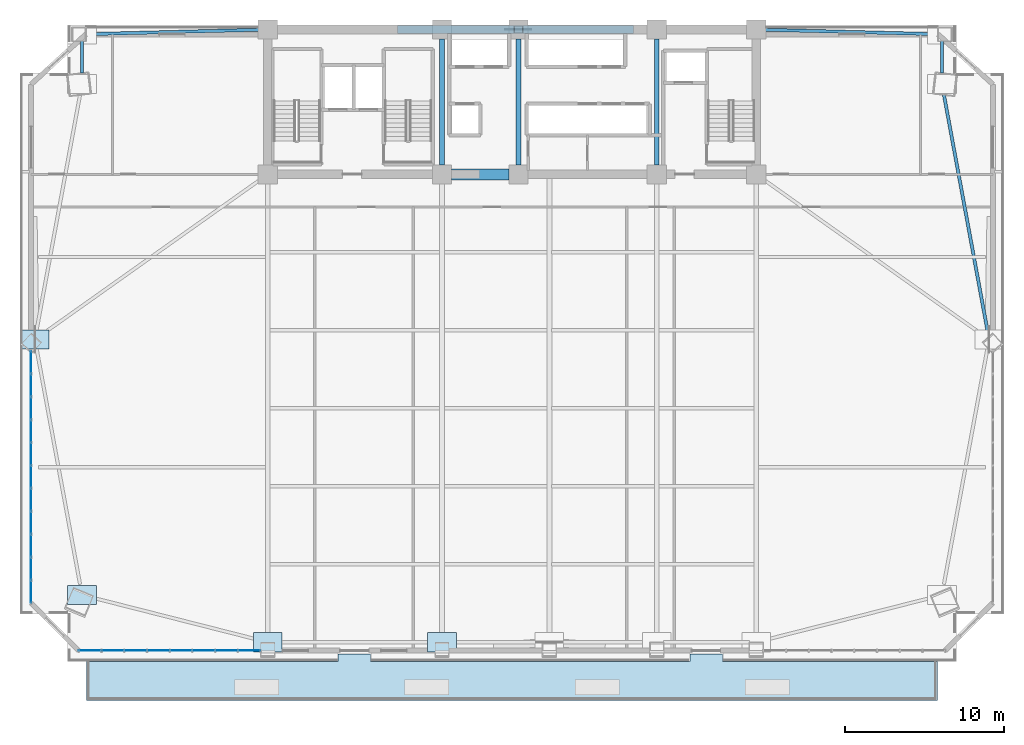
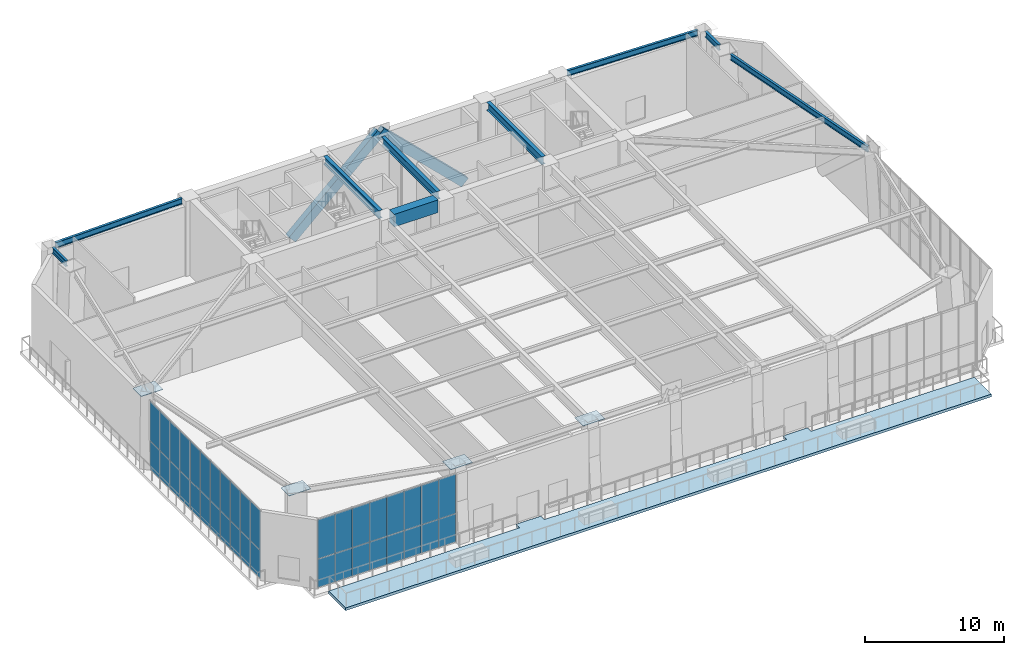
# One storey, part 12 of 22: 42 plates, 9 beams, 2 members, 1 slab, 2 elements without a shape of their own.
"""IFC4 building model written with IfcOpenShell, lengths in metres."""

from ifc_helpers import new_model, si_unit, direction, frame, origin, origin_2d, place, context, subcontext, project, spatial, polyline, rectangle, hollow_rectangle, i_section, outline, extrude, source, transform, mapped, material, layer, layer_set, material_profile, profile_set, type_object, element, aggregate, save


model = new_model("IFC4")

# Units and contexts
model_context = context("Model", 3, precision=1e-05, world=origin(), true_north=direction((0.0, 1.0)))
body_context = subcontext(model_context, "Body", "Model", "MODEL_VIEW")
ifc_project = project(units=[si_unit("LENGTHUNIT", "METRE"), si_unit("AREAUNIT", "SQUARE_METRE"), si_unit("VOLUMEUNIT", "CUBIC_METRE"), si_unit("PLANEANGLEUNIT", "RADIAN"), si_unit("MASSUNIT", "GRAM", prefix="KILO")], contexts=[model_context])

# Site, building, storey
site_placement = place(None, origin())
site = spatial("IfcSite", under=ifc_project, at=site_placement, CompositionType="ELEMENT")
building_placement = place(site_placement, origin())
building = spatial("IfcBuilding", under=site, at=building_placement, Name="Giltprow Tower", CompositionType="ELEMENT")
storey_placement = place(building_placement, frame((0.0, 0.0, 130.89990234375)))
storey = spatial("IfcBuildingStorey", under=building, at=storey_placement, Name="L32", CompositionType="ELEMENT", Elevation=130.89990234375)

# Beams
ifc_material_1 = material(Name="Concrete C60", Category="concrete")
ifc_material_profile_1 = material_profile(ifc_material_1, rectangle(XDim=0.699951171875, YDim=1.10009765625, at=origin_2d()), Name="RC 1100x700")
ifc_profile_set_1 = profile_set([ifc_material_profile_1], Name="Concrete C60")
beam_type_1 = type_object("IfcBeamType", Name="BM-CPL-RC1100", PredefinedType="LINTEL", material=ifc_profile_set_1)
shared_shape_1 = source(origin(), body_context, "Body", "SweptSolid", [
    extrude(rectangle(XDim=0.699951171875, YDim=1.10009765625, at=origin_2d()), origin(), (0.0, 0.0, 1.0), 3.6298828125),
])
beam_1_placement = place(storey_placement, frame((31.385009765625, 37.449951171875, 6.02001953125), z_axis=(1.0, 0.0, 0.0), x_axis=(0.0, 1.0, 0.0)))
element("IfcBeam", 1, at=beam_1_placement, inside=storey, type_object=beam_type_1, Name="L32 Core Coupling Beam CB-1", PredefinedType="LINTEL", context=body_context, shape_type="MappedRepresentation", body=[
    mapped(shared_shape_1, transform((0.0, 0.0, 0.0), x_axis=(1.0, 0.0, 0.0), y_axis=(0.0, 1.0, 0.0), z_axis=(0.0, 0.0, 1.0), scale=1.0)),
])
ifc_material_2 = material(Name="Structural steel Q355B", Category="steel")
ifc_material_profile_2 = material_profile(ifc_material_2, i_section(OverallWidth=0.300048828125, OverallDepth=0.699951171875, WebThickness=0.012939453125, FlangeThickness=0.02392578125, at=origin_2d()), Name="HN 700x300x13x24")
ifc_profile_set_2 = profile_set([ifc_material_profile_2], Name="Structural steel Q355B")
beam_type_2 = type_object("IfcBeamType", Name="BM-GIRD-HN700", PredefinedType="BEAM", material=ifc_profile_set_2)
shared_shape_2 = source(origin(), body_context, "Body", "SweptSolid", [
    extrude(i_section(OverallWidth=0.300048828125, OverallDepth=0.699951171875, WebThickness=0.012939453125, FlangeThickness=0.02392578125, at=origin_2d()), origin(), (0.0, 0.0, 1.0), 7.93017578125),
])
for number, where, z_axis, x_axis, name in (
    (2, (30.800048828125, 38.034912109375, 6.22021484375), (0.0, 1.0, 0.0), (-1.0, 0.0, 0.0), "L32 Core Tie Girder M1"),
    (3, (35.60009765625, 38.034912109375, 6.22021484375), (0.0, 1.0, 0.0), (-1.0, 0.0, 0.0), "L32 Core Tie Girder M2"),
    (4, (44.300048828125, 38.034912109375, 6.22021484375), (0.0, 1.0, 0.0), (-1.0, 0.0, 0.0), "L32 Core Tie Girder M3"),
):
    element("IfcBeam", number, at=place(storey_placement, frame(where, z_axis=z_axis, x_axis=x_axis)), inside=storey, type_object=beam_type_2, Name=name, PredefinedType="BEAM", context=body_context, shape_type="MappedRepresentation", body=[
        mapped(shared_shape_2, transform((0.0, 0.0, 0.0), x_axis=(1.0, 0.0, 0.0), y_axis=(0.0, 1.0, 0.0), z_axis=(0.0, 0.0, 1.0), scale=1.0)),
    ])
ifc_material_profile_3 = material_profile(ifc_material_2, i_section(OverallWidth=0.199951171875, OverallDepth=0.5, WebThickness=0.010009765625, FlangeThickness=0.01611328125, at=origin_2d()), Name="HN 500x200x10x16")
ifc_profile_set_3 = profile_set([ifc_material_profile_3], Name="Structural steel Q355B")
beam_type_3 = type_object("IfcBeamType", Name="BM-SPAN-HN500", PredefinedType="SPANDREL", material=ifc_profile_set_3)
shared_shape_3 = source(origin(), body_context, "Body", "SweptSolid", [
    extrude(i_section(OverallWidth=0.199951171875, OverallDepth=0.5, WebThickness=0.010009765625, FlangeThickness=0.01611328125, at=origin_2d()), origin(), (0.0, 0.0, 1.0), 15.212890625),
])
beam_2_placement = place(storey_placement, frame((65.10693359375, 27.5, 6.320068359375), z_axis=(-0.181555358549, 0.983380725753, 0.0), x_axis=(-0.983380725753, -0.181555358549, 0.0)))
element("IfcBeam", 5, at=beam_2_placement, inside=storey, type_object=beam_type_3, Name="L32 Perimeter Spandrel Beam E_MID-MC_NE", PredefinedType="SPANDREL", context=body_context, shape_type="MappedRepresentation", body=[
    mapped(shared_shape_3, transform((0.0, 0.0, 0.0), x_axis=(1.0, 0.0, 0.0), y_axis=(0.0, 1.0, 0.0), z_axis=(0.0, 0.0, 1.0), scale=1.0)),
])
shared_shape_4 = source(origin(), body_context, "Body", "SweptSolid", [
    extrude(i_section(OverallWidth=0.199951171875, OverallDepth=0.5, WebThickness=0.010009765625, FlangeThickness=0.01611328125, at=origin_2d()), origin(), (0.0, 0.0, 1.0), 1.995849609375),
])
for number, where, z_axis, x_axis, name in (
    (6, (62.220947265625, 43.819091796875, 6.320068359375), (0.0, 1.0, 0.0), (-1.0, 0.0, 0.0), "L32 Perimeter Spandrel Beam MC_NE-N_E"),
    (7, (8.178955078125, 45.81494140625, 6.320068359375), (0.0, -1.0, 0.0), (1.0, 0.0, 0.0), "L32 Perimeter Spandrel Beam N_W-MC_NW"),
):
    element("IfcBeam", number, at=place(storey_placement, frame(where, z_axis=z_axis, x_axis=x_axis)), inside=storey, type_object=beam_type_3, Name=name, PredefinedType="SPANDREL", context=body_context, shape_type="MappedRepresentation", body=[
        mapped(shared_shape_4, transform((0.0, 0.0, 0.0), x_axis=(1.0, 0.0, 0.0), y_axis=(0.0, 1.0, 0.0), z_axis=(0.0, 0.0, 1.0), scale=1.0)),
    ])
shared_shape_5 = source(origin(), body_context, "Body", "SweptSolid", [
    extrude(i_section(OverallWidth=0.199951171875, OverallDepth=0.5, WebThickness=0.010009765625, FlangeThickness=0.01611328125, at=origin_2d()), origin(), (0.0, 0.0, 1.0), 10.654296875),
])
for number, where, z_axis, x_axis, name in (
    (8, (8.614013671875, 46.260986328125, 6.320068359375), (0.999669440573, 0.025710106641, 0.0), (-0.025710106641, 0.999669440573, 0.0), "L32 North Wing Spandrel W"),
    (9, (51.135009765625, 46.534912109375, 6.320068359375), (0.999669440573, -0.025710106641, 0.0), (0.025710106641, 0.999669440573, 0.0), "L32 North Wing Spandrel E"),
):
    element("IfcBeam", number, at=place(storey_placement, frame(where, z_axis=z_axis, x_axis=x_axis)), inside=storey, type_object=beam_type_3, Name=name, PredefinedType="SPANDREL", context=body_context, shape_type="MappedRepresentation", body=[
        mapped(shared_shape_5, transform((0.0, 0.0, 0.0), x_axis=(1.0, 0.0, 0.0), y_axis=(0.0, 1.0, 0.0), z_axis=(0.0, 0.0, 1.0), scale=1.0)),
    ])

# Members
ifc_material_3 = material(Name="Structural steel Q420GJC", Category="steel")
ifc_material_profile_4 = material_profile(ifc_material_3, hollow_rectangle(XDim=0.5, YDim=0.800048828125, WallThickness=0.035888671875, at=origin_2d()), Name="RHS 800x500x36")
ifc_profile_set_4 = profile_set([ifc_material_profile_4], Name="Structural steel Q420GJC")
member_type = type_object("IfcMemberType", Name="MBR-MEGA-RHS800", PredefinedType="BRACE", material=ifc_profile_set_4)
shared_shape_6 = source(origin(), body_context, "Body", "SweptSolid", [
    extrude(hollow_rectangle(XDim=0.5, YDim=0.800048828125, WallThickness=0.035888671875, at=origin_2d()), origin(), (0.0, 0.0, 1.0), 10.0029296875),
])
member_1_placement = place(storey_placement, frame((28.263916015625, 46.550048828125, -0.139892578125), z_axis=(0.733397352552, 0.0, 0.679800208348), x_axis=(0.0, 1.0, 0.0)))
element("IfcMember", 10, at=member_1_placement, inside=storey, type_object=member_type, Name="L32 Chevron Mega-Brace N-L", PredefinedType="BRACE", context=body_context, shape_type="MappedRepresentation", body=[
    mapped(shared_shape_6, transform((0.0, 0.0, 0.0), x_axis=(1.0, 0.0, 0.0), y_axis=(0.0, 1.0, 0.0), z_axis=(0.0, 0.0, 1.0), scale=1.0)),
])
shared_shape_7 = source(origin(), body_context, "Body", "SweptSolid", [
    extrude(hollow_rectangle(XDim=0.5, YDim=0.800048828125, WallThickness=0.035888671875, at=origin_2d()), origin(), (0.0, 0.0, 1.0), 9.732666015625),
])
member_2_placement = place(storey_placement, frame((42.56298828125, 46.550048828125, -0.139892578125), z_axis=(-0.715423125976, 0.0, 0.698691456094), x_axis=(0.0, -1.0, 0.0)))
element("IfcMember", 11, at=member_2_placement, inside=storey, type_object=member_type, Name="L32 Chevron Mega-Brace N-R", PredefinedType="BRACE", context=body_context, shape_type="MappedRepresentation", body=[
    mapped(shared_shape_7, transform((0.0, 0.0, 0.0), x_axis=(1.0, 0.0, 0.0), y_axis=(0.0, 1.0, 0.0), z_axis=(0.0, 0.0, 1.0), scale=1.0)),
])

# Slab
ifc_material_4 = material(Name="Concrete C40", Category="concrete")
ifc_layer_1 = layer(ifc_material_4, 0.239990234375, Name="Concrete C40")
ifc_layer_set_1 = layer_set([ifc_layer_1], Name="Concrete C40")
slab_type = type_object("IfcSlabType", Name="SLB-SKYGARDEN-ROOF-240", PredefinedType="FLOOR", material=ifc_layer_set_1)
slab_placement = place(storey_placement, frame((0.0, 0.0, -0.239990234375)))
element("IfcSlab", 12, at=slab_placement, inside=storey, type_object=slab_type, Name="L32 Planted Sky Garden Terrace Slab", PredefinedType="FLOOR", context=body_context, shape_type="SweptSolid", body=[
    extrude(outline(polyline([(61.929931640625, 6.818115234375), (61.929931640625, 4.367919921875), (8.469970703125, 4.367919921875), (8.469970703125, 6.818115234375), (24.280029296875, 6.818115234375), (24.280029296875, 7.318115234375), (26.320068359375, 7.318115234375), (26.320068359375, 6.818115234375), (46.3798828125, 6.818115234375), (46.3798828125, 7.318115234375), (48.419921875, 7.318115234375), (48.419921875, 6.818115234375), (61.929931640625, 6.818115234375)])), origin(), (0.0, 0.0, 1.0), 0.239990234375),
])

# Plates
plate_type_1 = type_object("IfcPlateType", Name="PLT-NODE-CKN1", PredefinedType="USERDEFINED", material=ifc_material_3)
shared_shape_8 = source(origin(), body_context, "Body", "SweptSolid", [
    extrude(rectangle(XDim=1.800048828125, YDim=1.199951171875, at=origin_2d()), origin(), (0.0, 0.0, 1.0), 0.044921875),
])
for number, where, z_axis, x_axis, name in (
    (13, (8.178955078125, 11.010009765625, 6.527587890625), (0.0, 0.0, 1.0), (1.0, 0.0, 0.0), "CKN1 Column Taper Splice Node L32-MC_SW"),
    (14, (19.85009765625, 8.044921875, 6.527587890625), (0.0, 0.0, 1.0), (1.0, 0.0, 0.0), "CKN1 Column Taper Splice Node L32-S1"),
    (15, (30.800048828125, 8.044921875, 6.527587890625), (0.0, 0.0, 1.0), (1.0, 0.0, 0.0), "CKN1 Column Taper Splice Node L32-S2"),
    (16, (5.214111328125, 27.072021484375, 6.527587890625), (0.0, 0.0, 1.0), (1.0, 0.0, 0.0), "CKN1 Column Taper Splice Node L32-W_MID"),
):
    element("IfcPlate", number, at=place(storey_placement, frame(where, z_axis=z_axis, x_axis=x_axis)), inside=storey, type_object=plate_type_1, Name=name, ObjectType="SPLICE", PredefinedType="USERDEFINED", context=body_context, shape_type="MappedRepresentation", body=[
        mapped(shared_shape_8, transform((0.0, 0.0, 0.0), x_axis=(1.0, 0.0, 0.0), y_axis=(0.0, 1.0, 0.0), z_axis=(0.0, 0.0, 1.0), scale=1.0)),
    ])

# Curtain wall, plates
ifc_material_5 = material(Name="Anodized bronze", Category="metal")
ifc_layer_2 = layer(ifc_material_5, 0.179931640625, Name="Anodized bronze")
ifc_layer_set_2 = layer_set([ifc_layer_2], Name="Anodized bronze")
curtain_wall_type = type_object("IfcCurtainWallType", Name="CW-SKYGARDEN", PredefinedType="NOTDEFINED", material=ifc_layer_set_2)
curtain_wall_1_placement = place(storey_placement, origin())
curtain_wall_1 = element("IfcCurtainWall", 17, at=curtain_wall_1_placement, inside=storey, type_object=curtain_wall_type, Name="L32 South Recessed Curtain Wall 1", PredefinedType="NOTDEFINED")
ifc_material_6 = material(Name="Insulated glass", Category="glass")
plate_type_2 = type_object("IfcPlateType", Name="CW-PANEL-IGU-28", PredefinedType="CURTAIN_PANEL", material=ifc_material_6)
shared_shape_9 = source(origin(), body_context, "Body", "SweptSolid", [
    extrude(rectangle(XDim=1.39892578125, YDim=0.028076171875, at=origin_2d()), origin(), (0.0, 0.0, 1.0), 2.472900390625),
])
plate_1_placement = place(storey_placement, frame((8.68408203125, 7.51806640625, 0.0537109375), z_axis=(0.0, 0.0, 1.0), x_axis=(1.0, 0.0, 0.0)))
plate_1 = element("IfcPlate", 18, at=plate_1_placement, type_object=plate_type_2, Name="L32 South Recessed Curtain Wall 1 Glazing Panel 1-1", PredefinedType="CURTAIN_PANEL", context=body_context, shape_type="MappedRepresentation", body=[
    mapped(shared_shape_9, transform((0.0, 0.0, 0.0), x_axis=(1.0, 0.0, 0.0), y_axis=(0.0, 1.0, 0.0), z_axis=(0.0, 0.0, 1.0), scale=1.0)),
])
plate_2_placement = place(storey_placement, frame((10.113037109375, 7.51806640625, 0.0537109375), z_axis=(0.0, 0.0, 1.0), x_axis=(1.0, 0.0, 0.0)))
plate_2 = element("IfcPlate", 19, at=plate_2_placement, type_object=plate_type_2, Name="L32 South Recessed Curtain Wall 1 Glazing Panel 2-1", PredefinedType="CURTAIN_PANEL", context=body_context, shape_type="MappedRepresentation", body=[
    mapped(shared_shape_9, transform((0.0, 0.0, 0.0), x_axis=(1.0, 0.0, 0.0), y_axis=(0.0, 1.0, 0.0), z_axis=(0.0, 0.0, 1.0), scale=1.0)),
])
plate_3_placement = place(storey_placement, frame((11.5419921875, 7.51806640625, 0.0537109375), z_axis=(0.0, 0.0, 1.0), x_axis=(1.0, 0.0, 0.0)))
plate_3 = element("IfcPlate", 20, at=plate_3_placement, type_object=plate_type_2, Name="L32 South Recessed Curtain Wall 1 Glazing Panel 3-1", PredefinedType="CURTAIN_PANEL", context=body_context, shape_type="MappedRepresentation", body=[
    mapped(shared_shape_9, transform((0.0, 0.0, 0.0), x_axis=(1.0, 0.0, 0.0), y_axis=(0.0, 1.0, 0.0), z_axis=(0.0, 0.0, 1.0), scale=1.0)),
])
plate_4_placement = place(storey_placement, frame((12.970947265625, 7.51806640625, 0.0537109375), z_axis=(0.0, 0.0, 1.0), x_axis=(1.0, 0.0, 0.0)))
plate_4 = element("IfcPlate", 21, at=plate_4_placement, type_object=plate_type_2, Name="L32 South Recessed Curtain Wall 1 Glazing Panel 4-1", PredefinedType="CURTAIN_PANEL", context=body_context, shape_type="MappedRepresentation", body=[
    mapped(shared_shape_9, transform((0.0, 0.0, 0.0), x_axis=(1.0, 0.0, 0.0), y_axis=(0.0, 1.0, 0.0), z_axis=(0.0, 0.0, 1.0), scale=1.0)),
])
plate_5_placement = place(storey_placement, frame((14.39892578125, 7.51806640625, 0.0537109375), z_axis=(0.0, 0.0, 1.0), x_axis=(1.0, 0.0, 0.0)))
plate_5 = element("IfcPlate", 22, at=plate_5_placement, type_object=plate_type_2, Name="L32 South Recessed Curtain Wall 1 Glazing Panel 5-1", PredefinedType="CURTAIN_PANEL", context=body_context, shape_type="MappedRepresentation", body=[
    mapped(shared_shape_9, transform((0.0, 0.0, 0.0), x_axis=(1.0, 0.0, 0.0), y_axis=(0.0, 1.0, 0.0), z_axis=(0.0, 0.0, 1.0), scale=1.0)),
])
plate_6_placement = place(storey_placement, frame((15.827880859375, 7.51806640625, 0.0537109375), z_axis=(0.0, 0.0, 1.0), x_axis=(1.0, 0.0, 0.0)))
plate_6 = element("IfcPlate", 23, at=plate_6_placement, type_object=plate_type_2, Name="L32 South Recessed Curtain Wall 1 Glazing Panel 6-1", PredefinedType="CURTAIN_PANEL", context=body_context, shape_type="MappedRepresentation", body=[
    mapped(shared_shape_9, transform((0.0, 0.0, 0.0), x_axis=(1.0, 0.0, 0.0), y_axis=(0.0, 1.0, 0.0), z_axis=(0.0, 0.0, 1.0), scale=1.0)),
])
plate_7_placement = place(storey_placement, frame((17.257080078125, 7.51806640625, 0.0537109375), z_axis=(0.0, 0.0, 1.0), x_axis=(1.0, 0.0, 0.0)))
plate_7 = element("IfcPlate", 24, at=plate_7_placement, type_object=plate_type_2, Name="L32 South Recessed Curtain Wall 1 Glazing Panel 7-1", PredefinedType="CURTAIN_PANEL", context=body_context, shape_type="MappedRepresentation", body=[
    mapped(shared_shape_9, transform((0.0, 0.0, 0.0), x_axis=(1.0, 0.0, 0.0), y_axis=(0.0, 1.0, 0.0), z_axis=(0.0, 0.0, 1.0), scale=1.0)),
])
plate_8_placement = place(storey_placement, frame((18.68603515625, 7.51806640625, 0.0537109375), z_axis=(0.0, 0.0, 1.0), x_axis=(1.0, 0.0, 0.0)))
plate_8 = element("IfcPlate", 25, at=plate_8_placement, type_object=plate_type_2, Name="L32 South Recessed Curtain Wall 1 Glazing Panel 8-1", PredefinedType="CURTAIN_PANEL", context=body_context, shape_type="MappedRepresentation", body=[
    mapped(shared_shape_9, transform((0.0, 0.0, 0.0), x_axis=(1.0, 0.0, 0.0), y_axis=(0.0, 1.0, 0.0), z_axis=(0.0, 0.0, 1.0), scale=1.0)),
])
shared_shape_10 = source(origin(), body_context, "Body", "SweptSolid", [
    extrude(rectangle(XDim=1.39892578125, YDim=0.028076171875, at=origin_2d()), origin(), (0.0, 0.0, 1.0), 3.44091796875),
])
plate_9_placement = place(storey_placement, frame((8.68408203125, 7.51806640625, 2.5546875), z_axis=(0.0, 0.0, 1.0), x_axis=(1.0, 0.0, 0.0)))
plate_9 = element("IfcPlate", 26, at=plate_9_placement, type_object=plate_type_2, Name="L32 South Recessed Curtain Wall 1 Glazing Panel 1-2", PredefinedType="CURTAIN_PANEL", context=body_context, shape_type="MappedRepresentation", body=[
    mapped(shared_shape_10, transform((0.0, 0.0, 0.0), x_axis=(1.0, 0.0, 0.0), y_axis=(0.0, 1.0, 0.0), z_axis=(0.0, 0.0, 1.0), scale=1.0)),
])
plate_10_placement = place(storey_placement, frame((10.113037109375, 7.51806640625, 2.5546875), z_axis=(0.0, 0.0, 1.0), x_axis=(1.0, 0.0, 0.0)))
plate_10 = element("IfcPlate", 27, at=plate_10_placement, type_object=plate_type_2, Name="L32 South Recessed Curtain Wall 1 Glazing Panel 2-2", PredefinedType="CURTAIN_PANEL", context=body_context, shape_type="MappedRepresentation", body=[
    mapped(shared_shape_10, transform((0.0, 0.0, 0.0), x_axis=(1.0, 0.0, 0.0), y_axis=(0.0, 1.0, 0.0), z_axis=(0.0, 0.0, 1.0), scale=1.0)),
])
plate_11_placement = place(storey_placement, frame((11.5419921875, 7.51806640625, 2.5546875), z_axis=(0.0, 0.0, 1.0), x_axis=(1.0, 0.0, 0.0)))
plate_11 = element("IfcPlate", 28, at=plate_11_placement, type_object=plate_type_2, Name="L32 South Recessed Curtain Wall 1 Glazing Panel 3-2", PredefinedType="CURTAIN_PANEL", context=body_context, shape_type="MappedRepresentation", body=[
    mapped(shared_shape_10, transform((0.0, 0.0, 0.0), x_axis=(1.0, 0.0, 0.0), y_axis=(0.0, 1.0, 0.0), z_axis=(0.0, 0.0, 1.0), scale=1.0)),
])
plate_12_placement = place(storey_placement, frame((12.970947265625, 7.51806640625, 2.5546875), z_axis=(0.0, 0.0, 1.0), x_axis=(1.0, 0.0, 0.0)))
plate_12 = element("IfcPlate", 29, at=plate_12_placement, type_object=plate_type_2, Name="L32 South Recessed Curtain Wall 1 Glazing Panel 4-2", PredefinedType="CURTAIN_PANEL", context=body_context, shape_type="MappedRepresentation", body=[
    mapped(shared_shape_10, transform((0.0, 0.0, 0.0), x_axis=(1.0, 0.0, 0.0), y_axis=(0.0, 1.0, 0.0), z_axis=(0.0, 0.0, 1.0), scale=1.0)),
])
plate_13_placement = place(storey_placement, frame((14.39892578125, 7.51806640625, 2.5546875), z_axis=(0.0, 0.0, 1.0), x_axis=(1.0, 0.0, 0.0)))
plate_13 = element("IfcPlate", 30, at=plate_13_placement, type_object=plate_type_2, Name="L32 South Recessed Curtain Wall 1 Glazing Panel 5-2", PredefinedType="CURTAIN_PANEL", context=body_context, shape_type="MappedRepresentation", body=[
    mapped(shared_shape_10, transform((0.0, 0.0, 0.0), x_axis=(1.0, 0.0, 0.0), y_axis=(0.0, 1.0, 0.0), z_axis=(0.0, 0.0, 1.0), scale=1.0)),
])
plate_14_placement = place(storey_placement, frame((15.827880859375, 7.51806640625, 2.5546875), z_axis=(0.0, 0.0, 1.0), x_axis=(1.0, 0.0, 0.0)))
plate_14 = element("IfcPlate", 31, at=plate_14_placement, type_object=plate_type_2, Name="L32 South Recessed Curtain Wall 1 Glazing Panel 6-2", PredefinedType="CURTAIN_PANEL", context=body_context, shape_type="MappedRepresentation", body=[
    mapped(shared_shape_10, transform((0.0, 0.0, 0.0), x_axis=(1.0, 0.0, 0.0), y_axis=(0.0, 1.0, 0.0), z_axis=(0.0, 0.0, 1.0), scale=1.0)),
])
plate_15_placement = place(storey_placement, frame((17.257080078125, 7.51806640625, 2.5546875), z_axis=(0.0, 0.0, 1.0), x_axis=(1.0, 0.0, 0.0)))
plate_15 = element("IfcPlate", 32, at=plate_15_placement, type_object=plate_type_2, Name="L32 South Recessed Curtain Wall 1 Glazing Panel 7-2", PredefinedType="CURTAIN_PANEL", context=body_context, shape_type="MappedRepresentation", body=[
    mapped(shared_shape_10, transform((0.0, 0.0, 0.0), x_axis=(1.0, 0.0, 0.0), y_axis=(0.0, 1.0, 0.0), z_axis=(0.0, 0.0, 1.0), scale=1.0)),
])
plate_16_placement = place(storey_placement, frame((18.68603515625, 7.51806640625, 2.5546875), z_axis=(0.0, 0.0, 1.0), x_axis=(1.0, 0.0, 0.0)))
plate_16 = element("IfcPlate", 33, at=plate_16_placement, type_object=plate_type_2, Name="L32 South Recessed Curtain Wall 1 Glazing Panel 8-2", PredefinedType="CURTAIN_PANEL", context=body_context, shape_type="MappedRepresentation", body=[
    mapped(shared_shape_10, transform((0.0, 0.0, 0.0), x_axis=(1.0, 0.0, 0.0), y_axis=(0.0, 1.0, 0.0), z_axis=(0.0, 0.0, 1.0), scale=1.0)),
])
aggregate(curtain_wall_1, [plate_1, plate_9, plate_2, plate_10, plate_3, plate_11, plate_4, plate_12, plate_5, plate_13, plate_6, plate_14, plate_7, plate_15, plate_8, plate_16])

curtain_wall_2_placement = place(storey_placement, origin())
curtain_wall_2 = element("IfcCurtainWall", 34, at=curtain_wall_2_placement, inside=storey, type_object=curtain_wall_type, Name="L32 W Sky Garden Glazing", PredefinedType="NOTDEFINED")
shared_shape_11 = source(origin(), body_context, "Body", "SweptSolid", [
    extrude(rectangle(XDim=1.410888671875, YDim=0.028076171875, at=origin_2d()), origin(), (0.0, 0.0, 1.0), 2.472900390625),
])
plate_17_placement = place(storey_placement, frame((4.97900390625, 11.22900390625, 0.0537109375), z_axis=(0.0, 0.0, 1.0), x_axis=(0.0, 1.0, 0.0)))
plate_17 = element("IfcPlate", 35, at=plate_17_placement, type_object=plate_type_2, Name="L32 W Sky Garden Glazing Glazing Panel 1-1", PredefinedType="CURTAIN_PANEL", context=body_context, shape_type="MappedRepresentation", body=[
    mapped(shared_shape_11, transform((0.0, 0.0, 0.0), x_axis=(1.0, 0.0, 0.0), y_axis=(0.0, 1.0, 0.0), z_axis=(0.0, 0.0, 1.0), scale=1.0)),
])
plate_18_placement = place(storey_placement, frame((4.97900390625, 12.669921875, 0.0537109375), z_axis=(0.0, 0.0, 1.0), x_axis=(0.0, 1.0, 0.0)))
plate_18 = element("IfcPlate", 36, at=plate_18_placement, type_object=plate_type_2, Name="L32 W Sky Garden Glazing Glazing Panel 2-1", PredefinedType="CURTAIN_PANEL", context=body_context, shape_type="MappedRepresentation", body=[
    mapped(shared_shape_11, transform((0.0, 0.0, 0.0), x_axis=(1.0, 0.0, 0.0), y_axis=(0.0, 1.0, 0.0), z_axis=(0.0, 0.0, 1.0), scale=1.0)),
])
plate_19_placement = place(storey_placement, frame((4.97900390625, 14.111083984375, 0.0537109375), z_axis=(0.0, 0.0, 1.0), x_axis=(0.0, 1.0, 0.0)))
plate_19 = element("IfcPlate", 37, at=plate_19_placement, type_object=plate_type_2, Name="L32 W Sky Garden Glazing Glazing Panel 3-1", PredefinedType="CURTAIN_PANEL", context=body_context, shape_type="MappedRepresentation", body=[
    mapped(shared_shape_11, transform((0.0, 0.0, 0.0), x_axis=(1.0, 0.0, 0.0), y_axis=(0.0, 1.0, 0.0), z_axis=(0.0, 0.0, 1.0), scale=1.0)),
])
plate_20_placement = place(storey_placement, frame((4.97900390625, 15.552001953125, 0.0537109375), z_axis=(0.0, 0.0, 1.0), x_axis=(0.0, 1.0, 0.0)))
plate_20 = element("IfcPlate", 38, at=plate_20_placement, type_object=plate_type_2, Name="L32 W Sky Garden Glazing Glazing Panel 4-1", PredefinedType="CURTAIN_PANEL", context=body_context, shape_type="MappedRepresentation", body=[
    mapped(shared_shape_11, transform((0.0, 0.0, 0.0), x_axis=(1.0, 0.0, 0.0), y_axis=(0.0, 1.0, 0.0), z_axis=(0.0, 0.0, 1.0), scale=1.0)),
])
plate_21_placement = place(storey_placement, frame((4.97900390625, 16.992919921875, 0.0537109375), z_axis=(0.0, 0.0, 1.0), x_axis=(0.0, 1.0, 0.0)))
plate_21 = element("IfcPlate", 39, at=plate_21_placement, type_object=plate_type_2, Name="L32 W Sky Garden Glazing Glazing Panel 5-1", PredefinedType="CURTAIN_PANEL", context=body_context, shape_type="MappedRepresentation", body=[
    mapped(shared_shape_11, transform((0.0, 0.0, 0.0), x_axis=(1.0, 0.0, 0.0), y_axis=(0.0, 1.0, 0.0), z_axis=(0.0, 0.0, 1.0), scale=1.0)),
])
plate_22_placement = place(storey_placement, frame((4.97900390625, 18.43408203125, 0.0537109375), z_axis=(0.0, 0.0, 1.0), x_axis=(0.0, 1.0, 0.0)))
plate_22 = element("IfcPlate", 40, at=plate_22_placement, type_object=plate_type_2, Name="L32 W Sky Garden Glazing Glazing Panel 6-1", PredefinedType="CURTAIN_PANEL", context=body_context, shape_type="MappedRepresentation", body=[
    mapped(shared_shape_11, transform((0.0, 0.0, 0.0), x_axis=(1.0, 0.0, 0.0), y_axis=(0.0, 1.0, 0.0), z_axis=(0.0, 0.0, 1.0), scale=1.0)),
])
plate_23_placement = place(storey_placement, frame((4.97900390625, 19.875, 0.0537109375), z_axis=(0.0, 0.0, 1.0), x_axis=(0.0, 1.0, 0.0)))
plate_23 = element("IfcPlate", 41, at=plate_23_placement, type_object=plate_type_2, Name="L32 W Sky Garden Glazing Glazing Panel 7-1", PredefinedType="CURTAIN_PANEL", context=body_context, shape_type="MappedRepresentation", body=[
    mapped(shared_shape_11, transform((0.0, 0.0, 0.0), x_axis=(1.0, 0.0, 0.0), y_axis=(0.0, 1.0, 0.0), z_axis=(0.0, 0.0, 1.0), scale=1.0)),
])
plate_24_placement = place(storey_placement, frame((4.97900390625, 21.31591796875, 0.0537109375), z_axis=(0.0, 0.0, 1.0), x_axis=(0.0, 1.0, 0.0)))
plate_24 = element("IfcPlate", 42, at=plate_24_placement, type_object=plate_type_2, Name="L32 W Sky Garden Glazing Glazing Panel 8-1", PredefinedType="CURTAIN_PANEL", context=body_context, shape_type="MappedRepresentation", body=[
    mapped(shared_shape_11, transform((0.0, 0.0, 0.0), x_axis=(1.0, 0.0, 0.0), y_axis=(0.0, 1.0, 0.0), z_axis=(0.0, 0.0, 1.0), scale=1.0)),
])
plate_25_placement = place(storey_placement, frame((4.97900390625, 22.757080078125, 0.0537109375), z_axis=(0.0, 0.0, 1.0), x_axis=(0.0, 1.0, 0.0)))
plate_25 = element("IfcPlate", 43, at=plate_25_placement, type_object=plate_type_2, Name="L32 W Sky Garden Glazing Glazing Panel 9-1", PredefinedType="CURTAIN_PANEL", context=body_context, shape_type="MappedRepresentation", body=[
    mapped(shared_shape_11, transform((0.0, 0.0, 0.0), x_axis=(1.0, 0.0, 0.0), y_axis=(0.0, 1.0, 0.0), z_axis=(0.0, 0.0, 1.0), scale=1.0)),
])
plate_26_placement = place(storey_placement, frame((4.97900390625, 24.197998046875, 0.0537109375), z_axis=(0.0, 0.0, 1.0), x_axis=(0.0, 1.0, 0.0)))
plate_26 = element("IfcPlate", 44, at=plate_26_placement, type_object=plate_type_2, Name="L32 W Sky Garden Glazing Glazing Panel 10-1", PredefinedType="CURTAIN_PANEL", context=body_context, shape_type="MappedRepresentation", body=[
    mapped(shared_shape_11, transform((0.0, 0.0, 0.0), x_axis=(1.0, 0.0, 0.0), y_axis=(0.0, 1.0, 0.0), z_axis=(0.0, 0.0, 1.0), scale=1.0)),
])
plate_27_placement = place(storey_placement, frame((4.97900390625, 25.638916015625, 0.0537109375), z_axis=(0.0, 0.0, 1.0), x_axis=(0.0, 1.0, 0.0)))
plate_27 = element("IfcPlate", 45, at=plate_27_placement, type_object=plate_type_2, Name="L32 W Sky Garden Glazing Glazing Panel 11-1", PredefinedType="CURTAIN_PANEL", context=body_context, shape_type="MappedRepresentation", body=[
    mapped(shared_shape_11, transform((0.0, 0.0, 0.0), x_axis=(1.0, 0.0, 0.0), y_axis=(0.0, 1.0, 0.0), z_axis=(0.0, 0.0, 1.0), scale=1.0)),
])
shared_shape_12 = source(origin(), body_context, "Body", "SweptSolid", [
    extrude(rectangle(XDim=1.410888671875, YDim=0.028076171875, at=origin_2d()), origin(), (0.0, 0.0, 1.0), 3.44091796875),
])
plate_28_placement = place(storey_placement, frame((4.97900390625, 11.22900390625, 2.5546875), z_axis=(0.0, 0.0, 1.0), x_axis=(0.0, 1.0, 0.0)))
plate_28 = element("IfcPlate", 46, at=plate_28_placement, type_object=plate_type_2, Name="L32 W Sky Garden Glazing Glazing Panel 1-2", PredefinedType="CURTAIN_PANEL", context=body_context, shape_type="MappedRepresentation", body=[
    mapped(shared_shape_12, transform((0.0, 0.0, 0.0), x_axis=(1.0, 0.0, 0.0), y_axis=(0.0, 1.0, 0.0), z_axis=(0.0, 0.0, 1.0), scale=1.0)),
])
plate_29_placement = place(storey_placement, frame((4.97900390625, 12.669921875, 2.5546875), z_axis=(0.0, 0.0, 1.0), x_axis=(0.0, 1.0, 0.0)))
plate_29 = element("IfcPlate", 47, at=plate_29_placement, type_object=plate_type_2, Name="L32 W Sky Garden Glazing Glazing Panel 2-2", PredefinedType="CURTAIN_PANEL", context=body_context, shape_type="MappedRepresentation", body=[
    mapped(shared_shape_12, transform((0.0, 0.0, 0.0), x_axis=(1.0, 0.0, 0.0), y_axis=(0.0, 1.0, 0.0), z_axis=(0.0, 0.0, 1.0), scale=1.0)),
])
plate_30_placement = place(storey_placement, frame((4.97900390625, 14.111083984375, 2.5546875), z_axis=(0.0, 0.0, 1.0), x_axis=(0.0, 1.0, 0.0)))
plate_30 = element("IfcPlate", 48, at=plate_30_placement, type_object=plate_type_2, Name="L32 W Sky Garden Glazing Glazing Panel 3-2", PredefinedType="CURTAIN_PANEL", context=body_context, shape_type="MappedRepresentation", body=[
    mapped(shared_shape_12, transform((0.0, 0.0, 0.0), x_axis=(1.0, 0.0, 0.0), y_axis=(0.0, 1.0, 0.0), z_axis=(0.0, 0.0, 1.0), scale=1.0)),
])
plate_31_placement = place(storey_placement, frame((4.97900390625, 15.552001953125, 2.5546875), z_axis=(0.0, 0.0, 1.0), x_axis=(0.0, 1.0, 0.0)))
plate_31 = element("IfcPlate", 49, at=plate_31_placement, type_object=plate_type_2, Name="L32 W Sky Garden Glazing Glazing Panel 4-2", PredefinedType="CURTAIN_PANEL", context=body_context, shape_type="MappedRepresentation", body=[
    mapped(shared_shape_12, transform((0.0, 0.0, 0.0), x_axis=(1.0, 0.0, 0.0), y_axis=(0.0, 1.0, 0.0), z_axis=(0.0, 0.0, 1.0), scale=1.0)),
])
plate_32_placement = place(storey_placement, frame((4.97900390625, 16.992919921875, 2.5546875), z_axis=(0.0, 0.0, 1.0), x_axis=(0.0, 1.0, 0.0)))
plate_32 = element("IfcPlate", 50, at=plate_32_placement, type_object=plate_type_2, Name="L32 W Sky Garden Glazing Glazing Panel 5-2", PredefinedType="CURTAIN_PANEL", context=body_context, shape_type="MappedRepresentation", body=[
    mapped(shared_shape_12, transform((0.0, 0.0, 0.0), x_axis=(1.0, 0.0, 0.0), y_axis=(0.0, 1.0, 0.0), z_axis=(0.0, 0.0, 1.0), scale=1.0)),
])
plate_33_placement = place(storey_placement, frame((4.97900390625, 18.43408203125, 2.5546875), z_axis=(0.0, 0.0, 1.0), x_axis=(0.0, 1.0, 0.0)))
plate_33 = element("IfcPlate", 51, at=plate_33_placement, type_object=plate_type_2, Name="L32 W Sky Garden Glazing Glazing Panel 6-2", PredefinedType="CURTAIN_PANEL", context=body_context, shape_type="MappedRepresentation", body=[
    mapped(shared_shape_12, transform((0.0, 0.0, 0.0), x_axis=(1.0, 0.0, 0.0), y_axis=(0.0, 1.0, 0.0), z_axis=(0.0, 0.0, 1.0), scale=1.0)),
])
plate_34_placement = place(storey_placement, frame((4.97900390625, 19.875, 2.5546875), z_axis=(0.0, 0.0, 1.0), x_axis=(0.0, 1.0, 0.0)))
plate_34 = element("IfcPlate", 52, at=plate_34_placement, type_object=plate_type_2, Name="L32 W Sky Garden Glazing Glazing Panel 7-2", PredefinedType="CURTAIN_PANEL", context=body_context, shape_type="MappedRepresentation", body=[
    mapped(shared_shape_12, transform((0.0, 0.0, 0.0), x_axis=(1.0, 0.0, 0.0), y_axis=(0.0, 1.0, 0.0), z_axis=(0.0, 0.0, 1.0), scale=1.0)),
])
plate_35_placement = place(storey_placement, frame((4.97900390625, 21.31591796875, 2.5546875), z_axis=(0.0, 0.0, 1.0), x_axis=(0.0, 1.0, 0.0)))
plate_35 = element("IfcPlate", 53, at=plate_35_placement, type_object=plate_type_2, Name="L32 W Sky Garden Glazing Glazing Panel 8-2", PredefinedType="CURTAIN_PANEL", context=body_context, shape_type="MappedRepresentation", body=[
    mapped(shared_shape_12, transform((0.0, 0.0, 0.0), x_axis=(1.0, 0.0, 0.0), y_axis=(0.0, 1.0, 0.0), z_axis=(0.0, 0.0, 1.0), scale=1.0)),
])
plate_36_placement = place(storey_placement, frame((4.97900390625, 22.757080078125, 2.5546875), z_axis=(0.0, 0.0, 1.0), x_axis=(0.0, 1.0, 0.0)))
plate_36 = element("IfcPlate", 54, at=plate_36_placement, type_object=plate_type_2, Name="L32 W Sky Garden Glazing Glazing Panel 9-2", PredefinedType="CURTAIN_PANEL", context=body_context, shape_type="MappedRepresentation", body=[
    mapped(shared_shape_12, transform((0.0, 0.0, 0.0), x_axis=(1.0, 0.0, 0.0), y_axis=(0.0, 1.0, 0.0), z_axis=(0.0, 0.0, 1.0), scale=1.0)),
])
plate_37_placement = place(storey_placement, frame((4.97900390625, 24.197998046875, 2.5546875), z_axis=(0.0, 0.0, 1.0), x_axis=(0.0, 1.0, 0.0)))
plate_37 = element("IfcPlate", 55, at=plate_37_placement, type_object=plate_type_2, Name="L32 W Sky Garden Glazing Glazing Panel 10-2", PredefinedType="CURTAIN_PANEL", context=body_context, shape_type="MappedRepresentation", body=[
    mapped(shared_shape_12, transform((0.0, 0.0, 0.0), x_axis=(1.0, 0.0, 0.0), y_axis=(0.0, 1.0, 0.0), z_axis=(0.0, 0.0, 1.0), scale=1.0)),
])
plate_38_placement = place(storey_placement, frame((4.97900390625, 25.638916015625, 2.5546875), z_axis=(0.0, 0.0, 1.0), x_axis=(0.0, 1.0, 0.0)))
plate_38 = element("IfcPlate", 56, at=plate_38_placement, type_object=plate_type_2, Name="L32 W Sky Garden Glazing Glazing Panel 11-2", PredefinedType="CURTAIN_PANEL", context=body_context, shape_type="MappedRepresentation", body=[
    mapped(shared_shape_12, transform((0.0, 0.0, 0.0), x_axis=(1.0, 0.0, 0.0), y_axis=(0.0, 1.0, 0.0), z_axis=(0.0, 0.0, 1.0), scale=1.0)),
])
aggregate(curtain_wall_2, [plate_17, plate_28, plate_18, plate_29, plate_19, plate_30, plate_20, plate_31, plate_21, plate_32, plate_22, plate_33, plate_23, plate_34, plate_24, plate_35, plate_25, plate_36, plate_26, plate_37, plate_27, plate_38])

save(model, "model.ifc")
